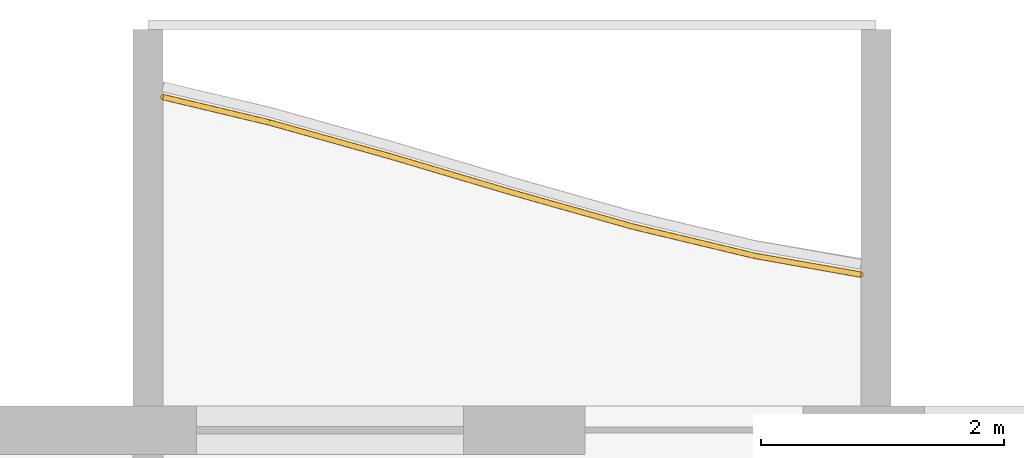
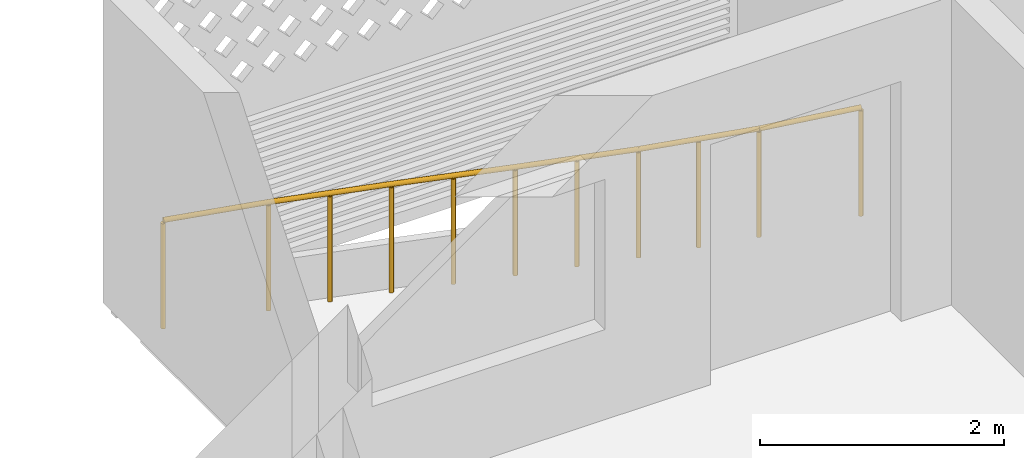
# One storey, part 15 of 26: 1 railing.
"""IFC4 building model written with IfcOpenShell, lengths in metres."""

from ifc_helpers import new_model, si_unit, direction, frame, origin, origin_2d, place, context, subcontext, project, spatial, circle, extrude, material, type_object, element, save


model = new_model("IFC4")

# Units and contexts
model_context = context("Model", 3, precision=1e-05, world=origin(), true_north=direction((0.0, 1.0)))
body_context = subcontext(model_context, "Body", "Model", "MODEL_VIEW")
ifc_project = project(units=[si_unit("LENGTHUNIT", "METRE"), si_unit("AREAUNIT", "SQUARE_METRE"), si_unit("VOLUMEUNIT", "CUBIC_METRE"), si_unit("PLANEANGLEUNIT", "RADIAN"), si_unit("MASSUNIT", "GRAM", prefix="KILO")], contexts=[model_context])

# Site, building, storey
site_placement = place(None, origin())
site = spatial("IfcSite", under=ifc_project, at=site_placement, CompositionType="ELEMENT")
building_placement = place(site_placement, origin())
building = spatial("IfcBuilding", under=site, at=building_placement, Name="Poui Terraces", CompositionType="ELEMENT")
storey_placement = place(building_placement, frame((0.0, 0.0, 175.199951171875)))
storey = spatial("IfcBuildingStorey", under=building, at=storey_placement, Name="L48", CompositionType="ELEMENT", Elevation=175.199951171875)

# Railing
ifc_material = material(Name="Painted steel fretwork", Category="steel")
railing_type = type_object("IfcRailingType", Name="BALCONY GUARD 1100", PredefinedType="GUARDRAIL", material=ifc_material)
railing_placement = place(storey_placement, frame((24.125, 43.944580078125, 0.0)))
element("IfcRailing", 1, at=railing_placement, inside=storey, type_object=railing_type, Name="BALCONY GUARD", PredefinedType="GUARDRAIL", context=body_context, shape_type="SweptSolid", body=[
    extrude(circle(Radius=0.02392578125, at=origin_2d()), frame((0.0, 0.0, 1.076171875), z_axis=(0.97270419921, -0.232048574309, 0.0), x_axis=(0.232048574309, 0.97270419921, 0.0)), (0.0, 0.0, 1.0), 0.899658203125),
    extrude(circle(Radius=0.02392578125, at=origin_2d()), frame((0.875, -0.208740234375, 1.076171875), z_axis=(0.962895626656, -0.269874067237, 0.0), x_axis=(0.269874067237, 0.962895626656, 0.0)), (0.0, 0.0, 1.0), 1.03857421875),
    extrude(circle(Radius=0.02392578125, at=origin_2d()), frame((1.875, -0.489013671875, 1.076171875), z_axis=(0.958710700624, -0.284383179018, 0.0), x_axis=(0.284383179018, 0.958710700624, 0.0)), (0.0, 0.0, 1.0), 1.04296875),
    extrude(circle(Radius=0.02392578125, at=origin_2d()), frame((2.875, -0.78564453125, 1.076171875), z_axis=(0.962282666556, -0.272051593719, 0.0), x_axis=(0.272051593719, 0.962282666556, 0.0)), (0.0, 0.0, 1.0), 1.039306640625),
    extrude(circle(Radius=0.02392578125, at=origin_2d()), frame((3.875, -1.068359375, 1.076171875), z_axis=(0.972497106951, -0.232914956523, 0.0), x_axis=(0.232914956523, 0.972497106951, 0.0)), (0.0, 0.0, 1.0), 1.0283203125),
    extrude(circle(Radius=0.02392578125, at=origin_2d()), frame((4.875, -1.307861328125, 1.076171875), z_axis=(0.984664397592, -0.17445923339, 0.0), x_axis=(0.17445923339, 0.984664397592, 0.0)), (0.0, 0.0, 1.0), 0.888671875),
    extrude(circle(Radius=0.02099609375, at=origin_2d()), origin(), (0.0, 0.0, 1.0), 1.052001953125),
    extrude(circle(Radius=0.02099609375, at=origin_2d()), frame((0.875, -0.208740234375, 0.0)), (0.0, 0.0, 1.0), 1.052001953125),
    extrude(circle(Radius=0.02099609375, at=origin_2d()), frame((1.375, -0.348876953125, 0.0)), (0.0, 0.0, 1.0), 1.052001953125),
    extrude(circle(Radius=0.02099609375, at=origin_2d()), frame((1.875, -0.489013671875, 0.0)), (0.0, 0.0, 1.0), 1.052001953125),
    extrude(circle(Radius=0.02099609375, at=origin_2d()), frame((2.375, -0.63720703125, 0.0)), (0.0, 0.0, 1.0), 1.052001953125),
    extrude(circle(Radius=0.02099609375, at=origin_2d()), frame((2.875, -0.78564453125, 0.0)), (0.0, 0.0, 1.0), 1.052001953125),
    extrude(circle(Radius=0.02099609375, at=origin_2d()), frame((3.375, -0.927001953125, 0.0)), (0.0, 0.0, 1.0), 1.052001953125),
    extrude(circle(Radius=0.02099609375, at=origin_2d()), frame((3.875, -1.068359375, 0.0)), (0.0, 0.0, 1.0), 1.052001953125),
    extrude(circle(Radius=0.02099609375, at=origin_2d()), frame((4.375, -1.18798828125, 0.0)), (0.0, 0.0, 1.0), 1.052001953125),
    extrude(circle(Radius=0.02099609375, at=origin_2d()), frame((4.875, -1.307861328125, 0.0)), (0.0, 0.0, 1.0), 1.052001953125),
    extrude(circle(Radius=0.02099609375, at=origin_2d()), frame((5.75, -1.462890625, 0.0)), (0.0, 0.0, 1.0), 1.052001953125),
])

save(model, "model.ifc")
